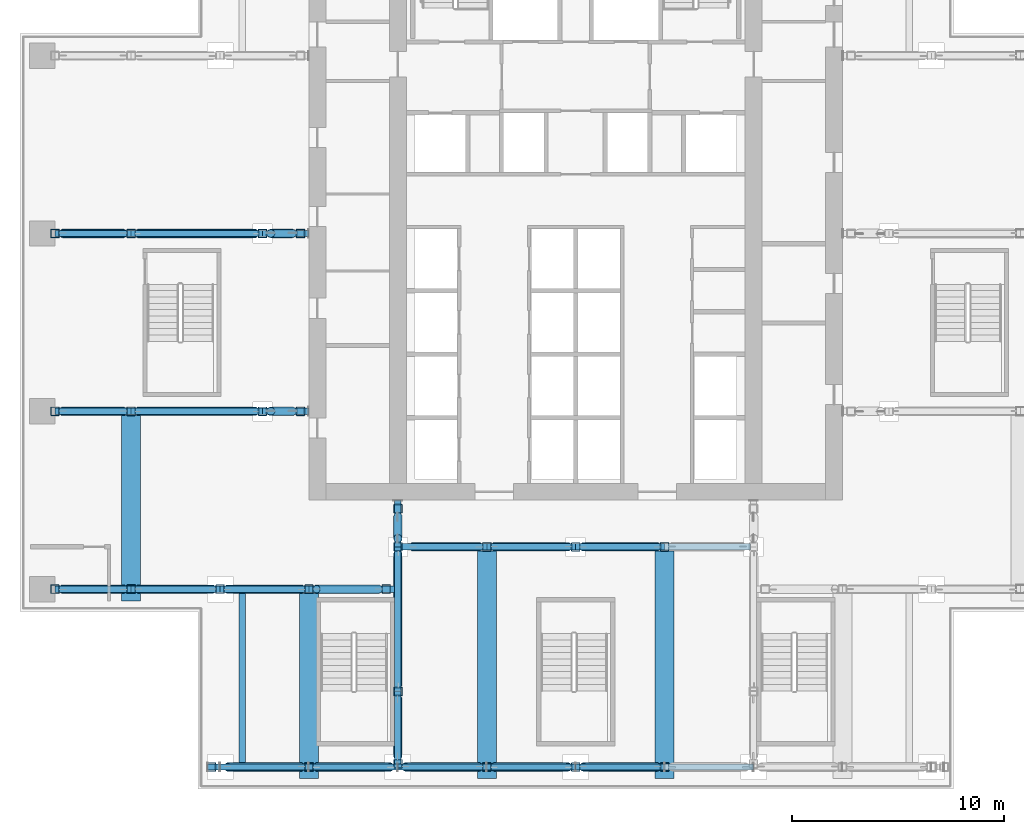
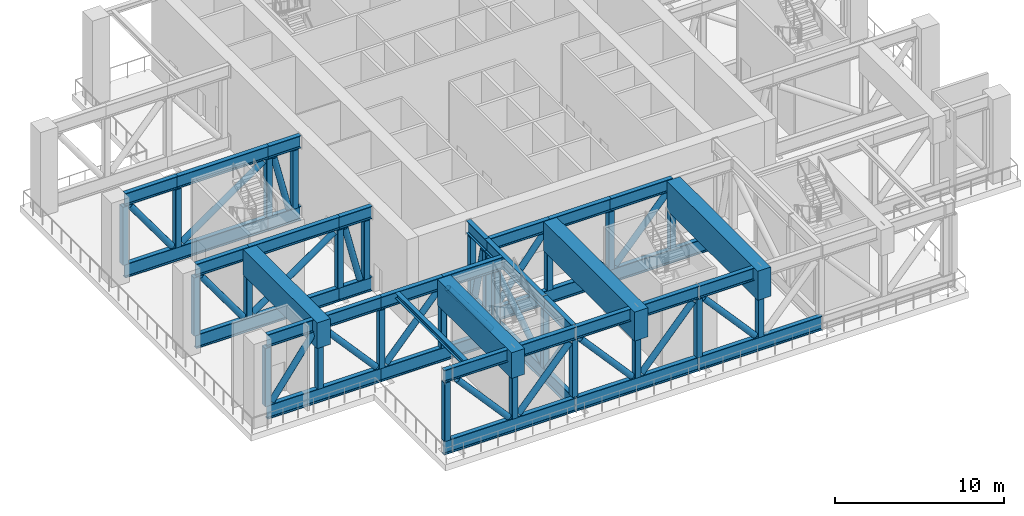
# One storey, part 2 of 23: 82 members, 5 beams.
"""IFC4 building model written with IfcOpenShell, lengths in metres."""

from ifc_helpers import new_model, si_unit, direction, frame, origin, origin_2d, place, context, subcontext, project, spatial, rectangle, hollow_rectangle, hollow_circle, i_section, extrude, material, material_profile, profile_set, type_object, element, save


model = new_model("IFC4")

# Units and contexts
model_context = context("Model", 3, precision=1e-05, world=origin(), true_north=direction((0.0, 1.0)))
body_context = subcontext(model_context, "Body", "Model", "MODEL_VIEW")
ifc_project = project(units=[si_unit("LENGTHUNIT", "METRE"), si_unit("AREAUNIT", "SQUARE_METRE"), si_unit("VOLUMEUNIT", "CUBIC_METRE"), si_unit("PLANEANGLEUNIT", "RADIAN"), si_unit("MASSUNIT", "GRAM", prefix="KILO")], contexts=[model_context])

# Site, building, storey
site_placement = place(None, origin())
site = spatial("IfcSite", under=ifc_project, at=site_placement, CompositionType="ELEMENT")
building_placement = place(site_placement, origin())
building = spatial("IfcBuilding", under=site, at=building_placement, Name="Vermilion Ogive Tower", CompositionType="ELEMENT")
storey_placement = place(building_placement, frame((0.0, 0.0, 121.800048828125)))
storey = spatial("IfcBuildingStorey", under=building, at=storey_placement, Name="L31", CompositionType="ELEMENT", Elevation=121.800048828125)

# Members
ifc_material_1 = material(Name="Steel S355", Category="steel")
ifc_material_profile_1 = material_profile(ifc_material_1, i_section(OverallWidth=0.300048828125, OverallDepth=1.0, WebThickness=0.01904296875, FlangeThickness=0.035888671875, FilletRadius=0.030029296875, at=origin_2d()), Name="HEB 1000")
ifc_profile_set_1 = profile_set([ifc_material_profile_1], Name="Steel S355")
member_type_1 = type_object("IfcMemberType", Name="Outrigger truss bottom chord HEB 1000", PredefinedType="CHORD", material=ifc_profile_set_1)
member_1_placement = place(storey_placement, frame((-8.550048828125, -12.60009765625, 0.5), z_axis=(-1.0, 0.0, 0.0), x_axis=(0.0, -1.0, 0.0)))
element("IfcMember", 1, at=member_1_placement, inside=storey, type_object=member_type_1, Name="L31-TR-EWW-12.6-B1", PredefinedType="CHORD", context=body_context, shape_type="SweptSolid", body=[
    extrude(i_section(OverallWidth=0.300048828125, OverallDepth=1.0, WebThickness=0.01904296875, FlangeThickness=0.035888671875, FilletRadius=0.030029296875, at=origin_2d()), origin(), (0.0, 0.0, 1.0), 8.25),
])
member_2_placement = place(storey_placement, frame((-16.800048828125, -12.60009765625, 0.5), z_axis=(-1.0, 0.0, 0.0), x_axis=(0.0, -1.0, 0.0)))
element("IfcMember", 2, at=member_2_placement, inside=storey, type_object=member_type_1, Name="L31-TR-EWW-12.6-B2", PredefinedType="CHORD", context=body_context, shape_type="SweptSolid", body=[
    extrude(i_section(OverallWidth=0.300048828125, OverallDepth=1.0, WebThickness=0.01904296875, FlangeThickness=0.035888671875, FilletRadius=0.030029296875, at=origin_2d()), origin(), (0.0, 0.0, 1.0), 7.800048828125),
])
member_3_placement = place(storey_placement, frame((-12.60009765625, -4.199951171875, 0.5), z_axis=(-1.0, 0.0, 0.0), x_axis=(0.0, -1.0, 0.0)))
element("IfcMember", 3, at=member_3_placement, inside=storey, type_object=member_type_1, Name="L31-TR-EWW-4.2-B1", PredefinedType="CHORD", context=body_context, shape_type="SweptSolid", body=[
    extrude(i_section(OverallWidth=0.300048828125, OverallDepth=1.0, WebThickness=0.01904296875, FlangeThickness=0.035888671875, FilletRadius=0.030029296875, at=origin_2d()), origin(), (0.0, 0.0, 1.0), 2.199951171875),
])
member_4_placement = place(storey_placement, frame((-14.800048828125, -4.199951171875, 0.5), z_axis=(-1.0, 0.0, 0.0), x_axis=(0.0, -1.0, 0.0)))
element("IfcMember", 4, at=member_4_placement, inside=storey, type_object=member_type_1, Name="L31-TR-EWW-4.2-B2", PredefinedType="CHORD", context=body_context, shape_type="SweptSolid", body=[
    extrude(i_section(OverallWidth=0.300048828125, OverallDepth=1.0, WebThickness=0.01904296875, FlangeThickness=0.035888671875, FilletRadius=0.030029296875, at=origin_2d()), origin(), (0.0, 0.0, 1.0), 9.800048828125),
])
member_5_placement = place(storey_placement, frame((-12.60009765625, 4.199951171875, 0.5), z_axis=(-1.0, 0.0, 0.0), x_axis=(0.0, -1.0, 0.0)))
element("IfcMember", 5, at=member_5_placement, inside=storey, type_object=member_type_1, Name="L31-TR-EWW+4.2-B1", PredefinedType="CHORD", context=body_context, shape_type="SweptSolid", body=[
    extrude(i_section(OverallWidth=0.300048828125, OverallDepth=1.0, WebThickness=0.01904296875, FlangeThickness=0.035888671875, FilletRadius=0.030029296875, at=origin_2d()), origin(), (0.0, 0.0, 1.0), 2.199951171875),
])
member_6_placement = place(storey_placement, frame((-14.800048828125, 4.199951171875, 0.5), z_axis=(-1.0, 0.0, 0.0), x_axis=(0.0, -1.0, 0.0)))
element("IfcMember", 6, at=member_6_placement, inside=storey, type_object=member_type_1, Name="L31-TR-EWW+4.2-B2", PredefinedType="CHORD", context=body_context, shape_type="SweptSolid", body=[
    extrude(i_section(OverallWidth=0.300048828125, OverallDepth=1.0, WebThickness=0.01904296875, FlangeThickness=0.035888671875, FilletRadius=0.030029296875, at=origin_2d()), origin(), (0.0, 0.0, 1.0), 9.800048828125),
])
member_7_placement = place(storey_placement, frame((-8.39990234375, -8.39990234375, 0.5), z_axis=(0.0, -1.0, 0.0), x_axis=(1.0, 0.0, 0.0)))
element("IfcMember", 7, at=member_7_placement, inside=storey, type_object=member_type_1, Name="L31-TR-NS-8.4-B1", PredefinedType="CHORD", context=body_context, shape_type="SweptSolid", body=[
    extrude(i_section(OverallWidth=0.300048828125, OverallDepth=1.0, WebThickness=0.01904296875, FlangeThickness=0.035888671875, FilletRadius=0.030029296875, at=origin_2d()), origin(), (0.0, 0.0, 1.0), 2.2001953125),
])
member_8_placement = place(storey_placement, frame((-8.39990234375, -10.60009765625, 0.5), z_axis=(0.0, -1.0, 0.0), x_axis=(1.0, 0.0, 0.0)))
element("IfcMember", 8, at=member_8_placement, inside=storey, type_object=member_type_1, Name="L31-TR-NS-8.4-B2", PredefinedType="CHORD", context=body_context, shape_type="SweptSolid", body=[
    extrude(i_section(OverallWidth=0.300048828125, OverallDepth=1.0, WebThickness=0.01904296875, FlangeThickness=0.035888671875, FilletRadius=0.030029296875, at=origin_2d()), origin(), (0.0, 0.0, 1.0), 10.25),
])
member_9_placement = place(storey_placement, frame((-17.39990234375, -21.0, 0.5), z_axis=(1.0, 0.0, 0.0), x_axis=(0.0, 1.0, 0.0)))
element("IfcMember", 9, at=member_9_placement, inside=storey, type_object=member_type_1, Name="L31-TR-BELT-B1", PredefinedType="CHORD", context=body_context, shape_type="SweptSolid", body=[
    extrude(i_section(OverallWidth=0.300048828125, OverallDepth=1.0, WebThickness=0.01904296875, FlangeThickness=0.035888671875, FilletRadius=0.030029296875, at=origin_2d()), origin(), (0.0, 0.0, 1.0), 0.599853515625),
])
member_10_placement = place(storey_placement, frame((-16.800048828125, -21.0, 0.5), z_axis=(1.0, 0.0, 0.0), x_axis=(0.0, 1.0, 0.0)))
element("IfcMember", 10, at=member_10_placement, inside=storey, type_object=member_type_1, Name="L31-TR-BELT-B2", PredefinedType="CHORD", context=body_context, shape_type="SweptSolid", body=[
    extrude(i_section(OverallWidth=0.300048828125, OverallDepth=1.0, WebThickness=0.01904296875, FlangeThickness=0.035888671875, FilletRadius=0.030029296875, at=origin_2d()), origin(), (0.0, 0.0, 1.0), 8.400146484375),
])
for number, where, z_axis, x_axis, name in (
    (11, (-8.39990234375, -21.0, 0.5), (1.0, 0.0, 0.0), (0.0, 1.0, 0.0), "L31-TR-BELT-B3"),
    (12, (0.0, -21.0, 0.5), (1.0, 0.0, 0.0), (0.0, 1.0, 0.0), "L31-TR-BELT-B4"),
):
    element("IfcMember", number, at=place(storey_placement, frame(where, z_axis=z_axis, x_axis=x_axis)), inside=storey, type_object=member_type_1, Name=name, PredefinedType="CHORD", context=body_context, shape_type="SweptSolid", body=[
        extrude(i_section(OverallWidth=0.300048828125, OverallDepth=1.0, WebThickness=0.01904296875, FlangeThickness=0.035888671875, FilletRadius=0.030029296875, at=origin_2d()), origin(), (0.0, 0.0, 1.0), 8.39990234375),
    ])
for number, where, z_axis, x_axis, name in (
    (13, (-8.25, -10.60009765625, 0.5), (1.0, 0.0, 0.0), (0.0, 1.0, 0.0), "L31-TR-RING0-B1"),
    (14, (0.0, -10.60009765625, 0.5), (1.0, 0.0, 0.0), (0.0, 1.0, 0.0), "L31-TR-RING0-B2"),
):
    element("IfcMember", number, at=place(storey_placement, frame(where, z_axis=z_axis, x_axis=x_axis)), inside=storey, type_object=member_type_1, Name=name, PredefinedType="CHORD", context=body_context, shape_type="SweptSolid", body=[
        extrude(i_section(OverallWidth=0.300048828125, OverallDepth=1.0, WebThickness=0.01904296875, FlangeThickness=0.035888671875, FilletRadius=0.030029296875, at=origin_2d()), origin(), (0.0, 0.0, 1.0), 8.25),
    ])
ifc_material_2 = material(Name="Steel S355", Category="steel")
ifc_material_profile_2 = material_profile(ifc_material_2, hollow_circle(Radius=0.203125, WallThickness=0.01611328125, at=origin_2d()), Name="CHS 406.4x16")
ifc_profile_set_2 = profile_set([ifc_material_profile_2], Name="Steel S355")
member_type_2 = type_object("IfcMemberType", Name="Outrigger truss diagonal CHS 406.4x16", PredefinedType="BRACE", material=ifc_profile_set_2)
member_11_placement = place(storey_placement, frame((-9.310302734375, -12.60009765625, 1.123779296875), z_axis=(-0.595456577435, 0.0, 0.803387493299), x_axis=(0.0, -1.0, 0.0)))
element("IfcMember", 15, at=member_11_placement, inside=storey, type_object=member_type_2, Name="L31-TR-EWW-12.6-D0", PredefinedType="BRACE", context=body_context, shape_type="SweptSolid", body=[
    extrude(hollow_circle(Radius=0.203125, WallThickness=0.01611328125, at=origin_2d()), origin(), (0.0, 0.0, 1.0), 4.919677734375),
])
for number, where, z_axis, x_axis, name in (
    (16, (-12.9501953125, -12.60009765625, 5.064208984375), (-0.665164177716, 0.0, -0.746697138526), (0.0, -1.0, 0.0), "L31-TR-EWW-12.6-D1"),
    (17, (-17.150146484375, -12.60009765625, 1.1357421875), (-0.665190049735, 0.0, 0.746674090707), (0.0, -1.0, 0.0), "L31-TR-EWW-12.6-D2"),
):
    element("IfcMember", number, at=place(storey_placement, frame(where, z_axis=z_axis, x_axis=x_axis)), inside=storey, type_object=member_type_2, Name=name, PredefinedType="BRACE", context=body_context, shape_type="SweptSolid", body=[
        extrude(hollow_circle(Radius=0.203125, WallThickness=0.01611328125, at=origin_2d()), origin(), (0.0, 0.0, 1.0), 5.26123046875),
    ])
member_12_placement = place(storey_placement, frame((-21.361083984375, -12.60009765625, 5.077392578125), z_axis=(-0.588364601079, 0.0, -0.808595755738), x_axis=(0.0, -1.0, 0.0)))
element("IfcMember", 18, at=member_12_placement, inside=storey, type_object=member_type_2, Name="L31-TR-EWW-12.6-D3", PredefinedType="BRACE", context=body_context, shape_type="SweptSolid", body=[
    extrude(hollow_circle(Radius=0.203125, WallThickness=0.01611328125, at=origin_2d()), origin(), (0.0, 0.0, 1.0), 4.890869140625),
])
member_13_placement = place(storey_placement, frame((-13.392333984375, -4.199951171875, 1.063720703125), z_axis=(-0.241919682312, 0.0, 0.970296278108), x_axis=(0.0, -1.0, 0.0)))
element("IfcMember", 19, at=member_13_placement, inside=storey, type_object=member_type_2, Name="L31-TR-EWW-4.2-D0", PredefinedType="BRACE", context=body_context, shape_type="SweptSolid", body=[
    extrude(hollow_circle(Radius=0.203125, WallThickness=0.01611328125, at=origin_2d()), origin(), (0.0, 0.0, 1.0), 4.197265625),
])
member_14_placement = place(storey_placement, frame((-15.11865234375, -4.199951171875, 5.035888671875), z_axis=(-0.820760536929, 0.0, -0.571272387762), x_axis=(0.0, -1.0, 0.0)))
element("IfcMember", 20, at=member_14_placement, inside=storey, type_object=member_type_2, Name="L31-TR-EWW-4.2-D1", PredefinedType="BRACE", context=body_context, shape_type="SweptSolid", body=[
    extrude(hollow_circle(Radius=0.203125, WallThickness=0.01611328125, at=origin_2d()), origin(), (0.0, 0.0, 1.0), 6.777587890625),
])
member_15_placement = place(storey_placement, frame((-21.361083984375, -4.199951171875, 1.12255859375), z_axis=(-0.588364601079, 0.0, 0.808595755738), x_axis=(0.0, -1.0, 0.0)))
element("IfcMember", 21, at=member_15_placement, inside=storey, type_object=member_type_2, Name="L31-TR-EWW-4.2-D2", PredefinedType="BRACE", context=body_context, shape_type="SweptSolid", body=[
    extrude(hollow_circle(Radius=0.203125, WallThickness=0.01611328125, at=origin_2d()), origin(), (0.0, 0.0, 1.0), 4.890869140625),
])
member_16_placement = place(storey_placement, frame((-13.392333984375, 4.199951171875, 1.063720703125), z_axis=(-0.241919682312, 0.0, 0.970296278108), x_axis=(0.0, -1.0, 0.0)))
element("IfcMember", 22, at=member_16_placement, inside=storey, type_object=member_type_2, Name="L31-TR-EWW+4.2-D0", PredefinedType="BRACE", context=body_context, shape_type="SweptSolid", body=[
    extrude(hollow_circle(Radius=0.203125, WallThickness=0.01611328125, at=origin_2d()), origin(), (0.0, 0.0, 1.0), 4.197265625),
])
member_17_placement = place(storey_placement, frame((-15.11865234375, 4.199951171875, 5.035888671875), z_axis=(-0.820760536929, 0.0, -0.571272387762), x_axis=(0.0, -1.0, 0.0)))
element("IfcMember", 23, at=member_17_placement, inside=storey, type_object=member_type_2, Name="L31-TR-EWW+4.2-D1", PredefinedType="BRACE", context=body_context, shape_type="SweptSolid", body=[
    extrude(hollow_circle(Radius=0.203125, WallThickness=0.01611328125, at=origin_2d()), origin(), (0.0, 0.0, 1.0), 6.777587890625),
])
member_18_placement = place(storey_placement, frame((-21.361083984375, 4.199951171875, 1.12255859375), z_axis=(-0.588364601079, 0.0, 0.808595755738), x_axis=(0.0, -1.0, 0.0)))
element("IfcMember", 24, at=member_18_placement, inside=storey, type_object=member_type_2, Name="L31-TR-EWW+4.2-D2", PredefinedType="BRACE", context=body_context, shape_type="SweptSolid", body=[
    extrude(hollow_circle(Radius=0.203125, WallThickness=0.01611328125, at=origin_2d()), origin(), (0.0, 0.0, 1.0), 4.890869140625),
])
member_19_placement = place(storey_placement, frame((-8.39990234375, -9.1923828125, 1.063720703125), z_axis=(0.0, -0.241919682312, 0.970296278108), x_axis=(1.0, 0.0, 0.0)))
element("IfcMember", 25, at=member_19_placement, inside=storey, type_object=member_type_2, Name="L31-TR-NS-8.4-D0", PredefinedType="BRACE", context=body_context, shape_type="SweptSolid", body=[
    extrude(hollow_circle(Radius=0.203125, WallThickness=0.01611328125, at=origin_2d()), origin(), (0.0, 0.0, 1.0), 4.197265625),
])
member_20_placement = place(storey_placement, frame((-8.39990234375, -10.91064453125, 5.0302734375), z_axis=(0.0, -0.84934761182, -0.527833907868), x_axis=(1.0, 0.0, 0.0)))
element("IfcMember", 26, at=member_20_placement, inside=storey, type_object=member_type_2, Name="L31-TR-NS-8.4-D1", PredefinedType="BRACE", context=body_context, shape_type="SweptSolid", body=[
    extrude(hollow_circle(Radius=0.203125, WallThickness=0.01611328125, at=origin_2d()), origin(), (0.0, 0.0, 1.0), 7.31396484375),
])
member_21_placement = place(storey_placement, frame((-8.39990234375, -17.7978515625, 1.117919921875), z_axis=(0.0, -0.561153568356, 0.827711708702), x_axis=(1.0, 0.0, 0.0)))
element("IfcMember", 27, at=member_21_placement, inside=storey, type_object=member_type_2, Name="L31-TR-NS-8.4-D2", PredefinedType="BRACE", context=body_context, shape_type="SweptSolid", body=[
    extrude(hollow_circle(Radius=0.203125, WallThickness=0.01611328125, at=origin_2d()), origin(), (0.0, 0.0, 1.0), 4.789306640625),
])
for number, where, z_axis, x_axis, name in (
    (28, (-16.44970703125, -21.0, 5.064208984375), (0.665164177716, 0.0, -0.746697138526), (0.0, 1.0, 0.0), "L31-TR-BELT-D1"),
    (29, (-12.249755859375, -21.0, 1.1357421875), (0.665164177716, 0.0, 0.746697138526), (0.0, 1.0, 0.0), "L31-TR-BELT-D2"),
    (30, (-8.0498046875, -21.0, 5.064208984375), (0.665164177716, 0.0, -0.746697138526), (0.0, 1.0, 0.0), "L31-TR-BELT-D3"),
    (31, (-3.849853515625, -21.0, 1.1357421875), (0.665190049735, 0.0, 0.746674090707), (0.0, 1.0, 0.0), "L31-TR-BELT-D4"),
    (32, (0.35009765625, -21.0, 5.064208984375), (0.665190049735, 0.0, -0.746674090707), (0.0, 1.0, 0.0), "L31-TR-BELT-D5"),
):
    element("IfcMember", number, at=place(storey_placement, frame(where, z_axis=z_axis, x_axis=x_axis)), inside=storey, type_object=member_type_2, Name=name, PredefinedType="BRACE", context=body_context, shape_type="SweptSolid", body=[
        extrude(hollow_circle(Radius=0.203125, WallThickness=0.01611328125, at=origin_2d()), origin(), (0.0, 0.0, 1.0), 5.26123046875),
    ])
member_22_placement = place(storey_placement, frame((-7.693603515625, -10.60009765625, 1.12841796875), z_axis=(0.62260112187, 0.0, 0.782539355589), x_axis=(0.0, 1.0, 0.0)))
element("IfcMember", 33, at=member_22_placement, inside=storey, type_object=member_type_2, Name="L31-TR-RING0-D0", PredefinedType="BRACE", context=body_context, shape_type="SweptSolid", body=[
    extrude(hollow_circle(Radius=0.203125, WallThickness=0.01611328125, at=origin_2d()), origin(), (0.0, 0.0, 1.0), 5.038818359375),
])
for number, where, z_axis, x_axis, name in (
    (34, (-3.849853515625, -10.60009765625, 5.064208984375), (0.665190049735, 0.0, -0.746674090707), (0.0, 1.0, 0.0), "L31-TR-RING0-D1"),
    (35, (0.35009765625, -10.60009765625, 1.1357421875), (0.665190049735, 0.0, 0.746674090707), (0.0, 1.0, 0.0), "L31-TR-RING0-D2"),
):
    element("IfcMember", number, at=place(storey_placement, frame(where, z_axis=z_axis, x_axis=x_axis)), inside=storey, type_object=member_type_2, Name=name, PredefinedType="BRACE", context=body_context, shape_type="SweptSolid", body=[
        extrude(hollow_circle(Radius=0.203125, WallThickness=0.01611328125, at=origin_2d()), origin(), (0.0, 0.0, 1.0), 5.26123046875),
    ])
ifc_material_3 = material(Name="Steel S355", Category="steel")
ifc_material_profile_3 = material_profile(ifc_material_3, hollow_rectangle(XDim=0.39990234375, YDim=0.39990234375, WallThickness=0.01611328125, InnerFilletRadius=0.01611328125, OuterFilletRadius=0.02392578125, at=origin_2d()), Name="RHS 400x400x16")
ifc_profile_set_3 = profile_set([ifc_material_profile_3], Name="Steel S355")
member_type_3 = type_object("IfcMemberType", Name="Outrigger truss post RHS 400x400x16", PredefinedType="POST", material=ifc_profile_set_3)
for number, where, z_axis, x_axis, name in (
    (36, (-8.949951171875, -12.60009765625, 1.0), (0.0, 0.0, 1.0), (1.0, 0.0, 0.0), "L31-TR-EWW-12.6-P0"),
    (37, (-12.60009765625, -12.60009765625, 1.0), (0.0, 0.0, 1.0), (1.0, 0.0, 0.0), "L31-TR-EWW-12.6-P1"),
    (38, (-16.800048828125, -12.60009765625, 1.0), (0.0, 0.0, 1.0), (1.0, 0.0, 0.0), "L31-TR-EWW-12.6-P2"),
    (39, (-21.0, -12.60009765625, 1.0), (0.0, 0.0, 1.0), (1.0, 0.0, 0.0), "L31-TR-EWW-12.6-P3"),
    (40, (-24.60009765625, -12.60009765625, 1.0), (0.0, 0.0, 1.0), (1.0, 0.0, 0.0), "L31-TR-EWW-12.6-P4"),
    (41, (-13.0, -4.199951171875, 1.0), (0.0, 0.0, 1.0), (1.0, 0.0, 0.0), "L31-TR-EWW-4.2-P0"),
    (42, (-14.800048828125, -4.199951171875, 1.0), (0.0, 0.0, 1.0), (1.0, 0.0, 0.0), "L31-TR-EWW-4.2-P1"),
    (43, (-21.0, -4.199951171875, 1.0), (0.0, 0.0, 1.0), (1.0, 0.0, 0.0), "L31-TR-EWW-4.2-P2"),
    (44, (-24.60009765625, -4.199951171875, 1.0), (0.0, 0.0, 1.0), (1.0, 0.0, 0.0), "L31-TR-EWW-4.2-P3"),
    (45, (-13.0, 4.199951171875, 1.0), (0.0, 0.0, 1.0), (1.0, 0.0, 0.0), "L31-TR-EWW+4.2-P0"),
    (46, (-14.800048828125, 4.199951171875, 1.0), (0.0, 0.0, 1.0), (1.0, 0.0, 0.0), "L31-TR-EWW+4.2-P1"),
    (47, (-21.0, 4.199951171875, 1.0), (0.0, 0.0, 1.0), (1.0, 0.0, 0.0), "L31-TR-EWW+4.2-P2"),
    (48, (-24.60009765625, 4.199951171875, 1.0), (0.0, 0.0, 1.0), (1.0, 0.0, 0.0), "L31-TR-EWW+4.2-P3"),
    (49, (-8.39990234375, -8.800048828125, 1.0), (0.0, 0.0, 1.0), (1.0, 0.0, 0.0), "L31-TR-NS-8.4-P0"),
    (50, (-8.39990234375, -10.60009765625, 1.0), (0.0, 0.0, 1.0), (1.0, 0.0, 0.0), "L31-TR-NS-8.4-P1"),
    (51, (-8.39990234375, -17.433349609375, 1.0), (0.0, 0.0, 1.0), (1.0, 0.0, 0.0), "L31-TR-NS-8.4-P2"),
    (52, (-8.39990234375, -20.85009765625, 1.0), (0.0, 0.0, 1.0), (1.0, 0.0, 0.0), "L31-TR-NS-8.4-P3"),
    (53, (-17.199951171875, -21.0, 1.0), (0.0, 0.0, 1.0), (1.0, 0.0, 0.0), "L31-TR-BELT-P0"),
    (54, (-12.60009765625, -21.0, 1.0), (0.0, 0.0, 1.0), (1.0, 0.0, 0.0), "L31-TR-BELT-P2"),
    (55, (-4.199951171875, -21.0, 1.0), (0.0, 0.0, 1.0), (1.0, 0.0, 0.0), "L31-TR-BELT-P4"),
    (56, (0.0, -21.0, 1.0), (0.0, 0.0, 1.0), (1.0, 0.0, 0.0), "L31-TR-BELT-P5"),
    (57, (4.199951171875, -21.0, 1.0), (0.0, 0.0, 1.0), (1.0, 0.0, 0.0), "L31-TR-BELT-P6"),
    (58, (-4.199951171875, -10.60009765625, 1.0), (0.0, 0.0, 1.0), (1.0, 0.0, 0.0), "L31-TR-RING0-P1"),
    (59, (0.0, -10.60009765625, 1.0), (0.0, 0.0, 1.0), (1.0, 0.0, 0.0), "L31-TR-RING0-P2"),
    (60, (4.199951171875, -10.60009765625, 1.0), (0.0, 0.0, 1.0), (1.0, 0.0, 0.0), "L31-TR-RING0-P3"),
):
    element("IfcMember", number, at=place(storey_placement, frame(where, z_axis=z_axis, x_axis=x_axis)), inside=storey, type_object=member_type_3, Name=name, PredefinedType="POST", context=body_context, shape_type="SweptSolid", body=[
        extrude(hollow_rectangle(XDim=0.39990234375, YDim=0.39990234375, WallThickness=0.01611328125, InnerFilletRadius=0.01611328125, OuterFilletRadius=0.02392578125, at=origin_2d()), origin(), (0.0, 0.0, 1.0), 4.199951171875),
    ])
ifc_material_4 = material(Name="Steel S355", Category="steel")
ifc_material_profile_4 = material_profile(ifc_material_4, i_section(OverallWidth=0.300048828125, OverallDepth=0.89990234375, WebThickness=0.0185546875, FlangeThickness=0.034912109375, FilletRadius=0.030029296875, at=origin_2d()), Name="HEB 900")
ifc_profile_set_4 = profile_set([ifc_material_profile_4], Name="Steel S355")
member_type_4 = type_object("IfcMemberType", Name="Outrigger truss top chord HEB 900", PredefinedType="CHORD", material=ifc_profile_set_4)
member_23_placement = place(storey_placement, frame((-8.550048828125, -12.60009765625, 5.64990234375), z_axis=(-1.0, 0.0, 0.0), x_axis=(0.0, -1.0, 0.0)))
element("IfcMember", 61, at=member_23_placement, inside=storey, type_object=member_type_4, Name="L31-TR-EWW-12.6-T3", PredefinedType="CHORD", context=body_context, shape_type="SweptSolid", body=[
    extrude(i_section(OverallWidth=0.300048828125, OverallDepth=0.89990234375, WebThickness=0.0185546875, FlangeThickness=0.034912109375, FilletRadius=0.030029296875, at=origin_2d()), origin(), (0.0, 0.0, 1.0), 4.050048828125),
])
for number, where, z_axis, x_axis, name in (
    (62, (-12.60009765625, -12.60009765625, 5.64990234375), (-1.0, 0.0, 0.0), (0.0, -1.0, 0.0), "L31-TR-EWW-12.6-T4"),
    (63, (-16.800048828125, -12.60009765625, 5.64990234375), (-1.0, 0.0, 0.0), (0.0, -1.0, 0.0), "L31-TR-EWW-12.6-T5"),
):
    element("IfcMember", number, at=place(storey_placement, frame(where, z_axis=z_axis, x_axis=x_axis)), inside=storey, type_object=member_type_4, Name=name, PredefinedType="CHORD", context=body_context, shape_type="SweptSolid", body=[
        extrude(i_section(OverallWidth=0.300048828125, OverallDepth=0.89990234375, WebThickness=0.0185546875, FlangeThickness=0.034912109375, FilletRadius=0.030029296875, at=origin_2d()), origin(), (0.0, 0.0, 1.0), 4.199951171875),
    ])
member_24_placement = place(storey_placement, frame((-21.0, -12.60009765625, 5.64990234375), z_axis=(-1.0, 0.0, 0.0), x_axis=(0.0, -1.0, 0.0)))
element("IfcMember", 64, at=member_24_placement, inside=storey, type_object=member_type_4, Name="L31-TR-EWW-12.6-T6", PredefinedType="CHORD", context=body_context, shape_type="SweptSolid", body=[
    extrude(i_section(OverallWidth=0.300048828125, OverallDepth=0.89990234375, WebThickness=0.0185546875, FlangeThickness=0.034912109375, FilletRadius=0.030029296875, at=origin_2d()), origin(), (0.0, 0.0, 1.0), 3.60009765625),
])
member_25_placement = place(storey_placement, frame((-12.60009765625, -4.199951171875, 5.64990234375), z_axis=(-1.0, 0.0, 0.0), x_axis=(0.0, -1.0, 0.0)))
element("IfcMember", 65, at=member_25_placement, inside=storey, type_object=member_type_4, Name="L31-TR-EWW-4.2-T3", PredefinedType="CHORD", context=body_context, shape_type="SweptSolid", body=[
    extrude(i_section(OverallWidth=0.300048828125, OverallDepth=0.89990234375, WebThickness=0.0185546875, FlangeThickness=0.034912109375, FilletRadius=0.030029296875, at=origin_2d()), origin(), (0.0, 0.0, 1.0), 2.199951171875),
])
member_26_placement = place(storey_placement, frame((-14.800048828125, -4.199951171875, 5.64990234375), z_axis=(-1.0, 0.0, 0.0), x_axis=(0.0, -1.0, 0.0)))
element("IfcMember", 66, at=member_26_placement, inside=storey, type_object=member_type_4, Name="L31-TR-EWW-4.2-T4", PredefinedType="CHORD", context=body_context, shape_type="SweptSolid", body=[
    extrude(i_section(OverallWidth=0.300048828125, OverallDepth=0.89990234375, WebThickness=0.0185546875, FlangeThickness=0.034912109375, FilletRadius=0.030029296875, at=origin_2d()), origin(), (0.0, 0.0, 1.0), 6.199951171875),
])
member_27_placement = place(storey_placement, frame((-21.0, -4.199951171875, 5.64990234375), z_axis=(-1.0, 0.0, 0.0), x_axis=(0.0, -1.0, 0.0)))
element("IfcMember", 67, at=member_27_placement, inside=storey, type_object=member_type_4, Name="L31-TR-EWW-4.2-T5", PredefinedType="CHORD", context=body_context, shape_type="SweptSolid", body=[
    extrude(i_section(OverallWidth=0.300048828125, OverallDepth=0.89990234375, WebThickness=0.0185546875, FlangeThickness=0.034912109375, FilletRadius=0.030029296875, at=origin_2d()), origin(), (0.0, 0.0, 1.0), 3.60009765625),
])
member_28_placement = place(storey_placement, frame((-12.60009765625, 4.199951171875, 5.64990234375), z_axis=(-1.0, 0.0, 0.0), x_axis=(0.0, -1.0, 0.0)))
element("IfcMember", 68, at=member_28_placement, inside=storey, type_object=member_type_4, Name="L31-TR-EWW+4.2-T3", PredefinedType="CHORD", context=body_context, shape_type="SweptSolid", body=[
    extrude(i_section(OverallWidth=0.300048828125, OverallDepth=0.89990234375, WebThickness=0.0185546875, FlangeThickness=0.034912109375, FilletRadius=0.030029296875, at=origin_2d()), origin(), (0.0, 0.0, 1.0), 2.199951171875),
])
member_29_placement = place(storey_placement, frame((-14.800048828125, 4.199951171875, 5.64990234375), z_axis=(-1.0, 0.0, 0.0), x_axis=(0.0, -1.0, 0.0)))
element("IfcMember", 69, at=member_29_placement, inside=storey, type_object=member_type_4, Name="L31-TR-EWW+4.2-T4", PredefinedType="CHORD", context=body_context, shape_type="SweptSolid", body=[
    extrude(i_section(OverallWidth=0.300048828125, OverallDepth=0.89990234375, WebThickness=0.0185546875, FlangeThickness=0.034912109375, FilletRadius=0.030029296875, at=origin_2d()), origin(), (0.0, 0.0, 1.0), 6.199951171875),
])
member_30_placement = place(storey_placement, frame((-21.0, 4.199951171875, 5.64990234375), z_axis=(-1.0, 0.0, 0.0), x_axis=(0.0, -1.0, 0.0)))
element("IfcMember", 70, at=member_30_placement, inside=storey, type_object=member_type_4, Name="L31-TR-EWW+4.2-T5", PredefinedType="CHORD", context=body_context, shape_type="SweptSolid", body=[
    extrude(i_section(OverallWidth=0.300048828125, OverallDepth=0.89990234375, WebThickness=0.0185546875, FlangeThickness=0.034912109375, FilletRadius=0.030029296875, at=origin_2d()), origin(), (0.0, 0.0, 1.0), 3.60009765625),
])
member_31_placement = place(storey_placement, frame((-8.39990234375, -8.39990234375, 5.64990234375), z_axis=(0.0, -1.0, 0.0), x_axis=(1.0, 0.0, 0.0)))
element("IfcMember", 71, at=member_31_placement, inside=storey, type_object=member_type_4, Name="L31-TR-NS-8.4-T3", PredefinedType="CHORD", context=body_context, shape_type="SweptSolid", body=[
    extrude(i_section(OverallWidth=0.300048828125, OverallDepth=0.89990234375, WebThickness=0.0185546875, FlangeThickness=0.034912109375, FilletRadius=0.030029296875, at=origin_2d()), origin(), (0.0, 0.0, 1.0), 2.2001953125),
])
member_32_placement = place(storey_placement, frame((-8.39990234375, -10.60009765625, 5.64990234375), z_axis=(0.0, -1.0, 0.0), x_axis=(1.0, 0.0, 0.0)))
element("IfcMember", 72, at=member_32_placement, inside=storey, type_object=member_type_4, Name="L31-TR-NS-8.4-T4", PredefinedType="CHORD", context=body_context, shape_type="SweptSolid", body=[
    extrude(i_section(OverallWidth=0.300048828125, OverallDepth=0.89990234375, WebThickness=0.0185546875, FlangeThickness=0.034912109375, FilletRadius=0.030029296875, at=origin_2d()), origin(), (0.0, 0.0, 1.0), 6.833251953125),
])
member_33_placement = place(storey_placement, frame((-8.39990234375, -17.433349609375, 5.64990234375), z_axis=(0.0, -1.0, 0.0), x_axis=(1.0, 0.0, 0.0)))
element("IfcMember", 73, at=member_33_placement, inside=storey, type_object=member_type_4, Name="L31-TR-NS-8.4-T5", PredefinedType="CHORD", context=body_context, shape_type="SweptSolid", body=[
    extrude(i_section(OverallWidth=0.300048828125, OverallDepth=0.89990234375, WebThickness=0.0185546875, FlangeThickness=0.034912109375, FilletRadius=0.030029296875, at=origin_2d()), origin(), (0.0, 0.0, 1.0), 3.416748046875),
])
member_34_placement = place(storey_placement, frame((-17.39990234375, -21.0, 5.64990234375), z_axis=(1.0, 0.0, 0.0), x_axis=(0.0, 1.0, 0.0)))
element("IfcMember", 74, at=member_34_placement, inside=storey, type_object=member_type_4, Name="L31-TR-BELT-T6", PredefinedType="CHORD", context=body_context, shape_type="SweptSolid", body=[
    extrude(i_section(OverallWidth=0.300048828125, OverallDepth=0.89990234375, WebThickness=0.0185546875, FlangeThickness=0.034912109375, FilletRadius=0.030029296875, at=origin_2d()), origin(), (0.0, 0.0, 1.0), 0.599853515625),
])
member_35_placement = place(storey_placement, frame((-16.800048828125, -21.0, 5.64990234375), z_axis=(1.0, 0.0, 0.0), x_axis=(0.0, 1.0, 0.0)))
element("IfcMember", 75, at=member_35_placement, inside=storey, type_object=member_type_4, Name="L31-TR-BELT-T7", PredefinedType="CHORD", context=body_context, shape_type="SweptSolid", body=[
    extrude(i_section(OverallWidth=0.300048828125, OverallDepth=0.89990234375, WebThickness=0.0185546875, FlangeThickness=0.034912109375, FilletRadius=0.030029296875, at=origin_2d()), origin(), (0.0, 0.0, 1.0), 4.199951171875),
])
member_36_placement = place(storey_placement, frame((-12.60009765625, -21.0, 5.64990234375), z_axis=(1.0, 0.0, 0.0), x_axis=(0.0, 1.0, 0.0)))
element("IfcMember", 76, at=member_36_placement, inside=storey, type_object=member_type_4, Name="L31-TR-BELT-T8", PredefinedType="CHORD", context=body_context, shape_type="SweptSolid", body=[
    extrude(i_section(OverallWidth=0.300048828125, OverallDepth=0.89990234375, WebThickness=0.0185546875, FlangeThickness=0.034912109375, FilletRadius=0.030029296875, at=origin_2d()), origin(), (0.0, 0.0, 1.0), 4.2001953125),
])
for number, where, z_axis, x_axis, name in (
    (77, (-8.39990234375, -21.0, 5.64990234375), (1.0, 0.0, 0.0), (0.0, 1.0, 0.0), "L31-TR-BELT-T9"),
    (78, (-4.199951171875, -21.0, 5.64990234375), (1.0, 0.0, 0.0), (0.0, 1.0, 0.0), "L31-TR-BELT-T10"),
    (79, (0.0, -21.0, 5.64990234375), (1.0, 0.0, 0.0), (0.0, 1.0, 0.0), "L31-TR-BELT-T11"),
):
    element("IfcMember", number, at=place(storey_placement, frame(where, z_axis=z_axis, x_axis=x_axis)), inside=storey, type_object=member_type_4, Name=name, PredefinedType="CHORD", context=body_context, shape_type="SweptSolid", body=[
        extrude(i_section(OverallWidth=0.300048828125, OverallDepth=0.89990234375, WebThickness=0.0185546875, FlangeThickness=0.034912109375, FilletRadius=0.030029296875, at=origin_2d()), origin(), (0.0, 0.0, 1.0), 4.199951171875),
    ])
member_37_placement = place(storey_placement, frame((-8.25, -10.60009765625, 5.64990234375), z_axis=(1.0, 0.0, 0.0), x_axis=(0.0, 1.0, 0.0)))
element("IfcMember", 80, at=member_37_placement, inside=storey, type_object=member_type_4, Name="L31-TR-RING0-T3", PredefinedType="CHORD", context=body_context, shape_type="SweptSolid", body=[
    extrude(i_section(OverallWidth=0.300048828125, OverallDepth=0.89990234375, WebThickness=0.0185546875, FlangeThickness=0.034912109375, FilletRadius=0.030029296875, at=origin_2d()), origin(), (0.0, 0.0, 1.0), 4.050048828125),
])
for number, where, z_axis, x_axis, name in (
    (81, (-4.199951171875, -10.60009765625, 5.64990234375), (1.0, 0.0, 0.0), (0.0, 1.0, 0.0), "L31-TR-RING0-T4"),
    (82, (0.0, -10.60009765625, 5.64990234375), (1.0, 0.0, 0.0), (0.0, 1.0, 0.0), "L31-TR-RING0-T5"),
):
    element("IfcMember", number, at=place(storey_placement, frame(where, z_axis=z_axis, x_axis=x_axis)), inside=storey, type_object=member_type_4, Name=name, PredefinedType="CHORD", context=body_context, shape_type="SweptSolid", body=[
        extrude(i_section(OverallWidth=0.300048828125, OverallDepth=0.89990234375, WebThickness=0.0185546875, FlangeThickness=0.034912109375, FilletRadius=0.030029296875, at=origin_2d()), origin(), (0.0, 0.0, 1.0), 4.199951171875),
    ])

# Beams
ifc_material_5 = material(Name="Steel S355", Category="steel")
ifc_material_profile_5 = material_profile(ifc_material_5, i_section(OverallWidth=0.300048828125, OverallDepth=0.39990234375, WebThickness=0.013427734375, FlangeThickness=0.02392578125, FilletRadius=0.027099609375, at=origin_2d()), Name="HEB 400")
ifc_profile_set_5 = profile_set([ifc_material_profile_5], Name="Steel S355")
beam_type_1 = type_object("IfcBeamType", Name="Terrace beam HEB 400", PredefinedType="BEAM", material=ifc_profile_set_5)
beam_placement = place(storey_placement, frame((-15.75, -20.85009765625, 5.89990234375), z_axis=(0.0, 1.0, 0.0), x_axis=(-1.0, 0.0, 0.0)))
element("IfcBeam", 83, at=beam_placement, inside=storey, type_object=beam_type_1, Name="L31-TB-1", PredefinedType="BEAM", context=body_context, shape_type="SweptSolid", body=[
    extrude(i_section(OverallWidth=0.300048828125, OverallDepth=0.39990234375, WebThickness=0.013427734375, FlangeThickness=0.02392578125, FilletRadius=0.027099609375, at=origin_2d()), origin(), (0.0, 0.0, 1.0), 8.10009765625),
])
ifc_material_6 = material(Name="Concrete B60", Category="concrete")
ifc_material_profile_6 = material_profile(ifc_material_6, rectangle(XDim=0.89990234375, YDim=1.85009765625, at=origin_2d()), Name="900 x 1850")
ifc_profile_set_6 = profile_set([ifc_material_profile_6], Name="Concrete B60")
beam_type_2 = type_object("IfcBeamType", Name="Transfer girder 900 x 1850 B60", PredefinedType="BEAM", material=ifc_profile_set_6)
for number, where, z_axis, x_axis, name in (
    (84, (-12.60009765625, -21.550048828125, 5.175048828125), (0.0, 1.0, 0.0), (-1.0, 0.0, 0.0), "L31-TG-1"),
    (85, (-21.0, -13.14990234375, 5.175048828125), (0.0, 1.0, 0.0), (-1.0, 0.0, 0.0), "L31-TG-5"),
):
    element("IfcBeam", number, at=place(storey_placement, frame(where, z_axis=z_axis, x_axis=x_axis)), inside=storey, type_object=beam_type_2, Name=name, PredefinedType="BEAM", context=body_context, shape_type="SweptSolid", body=[
        extrude(rectangle(XDim=0.89990234375, YDim=1.85009765625, at=origin_2d()), origin(), (0.0, 0.0, 1.0), 8.75),
    ])
ifc_material_7 = material(Name="Concrete B60", Category="concrete")
ifc_material_profile_7 = material_profile(ifc_material_7, rectangle(XDim=0.89990234375, YDim=2.10009765625, at=origin_2d()), Name="900 x 2100")
ifc_profile_set_7 = profile_set([ifc_material_profile_7], Name="Concrete B60")
beam_type_3 = type_object("IfcBeamType", Name="Transfer girder 900 x 2100 B60", PredefinedType="BEAM", material=ifc_profile_set_7)
for number, where, z_axis, x_axis, name in (
    (86, (-4.199951171875, -21.550048828125, 5.050048828125), (0.0, 1.0, 0.0), (-1.0, 0.0, 0.0), "L31-TG-2"),
    (87, (4.199951171875, -21.550048828125, 5.050048828125), (0.0, 1.0, 0.0), (-1.0, 0.0, 0.0), "L31-TG-3"),
):
    element("IfcBeam", number, at=place(storey_placement, frame(where, z_axis=z_axis, x_axis=x_axis)), inside=storey, type_object=beam_type_3, Name=name, PredefinedType="BEAM", context=body_context, shape_type="SweptSolid", body=[
        extrude(rectangle(XDim=0.89990234375, YDim=2.10009765625, at=origin_2d()), origin(), (0.0, 0.0, 1.0), 10.75),
    ])

save(model, "model.ifc")
